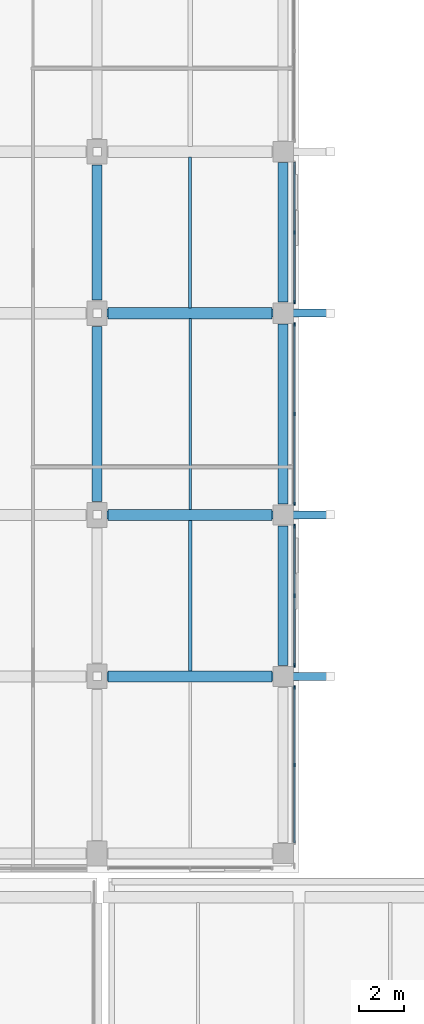
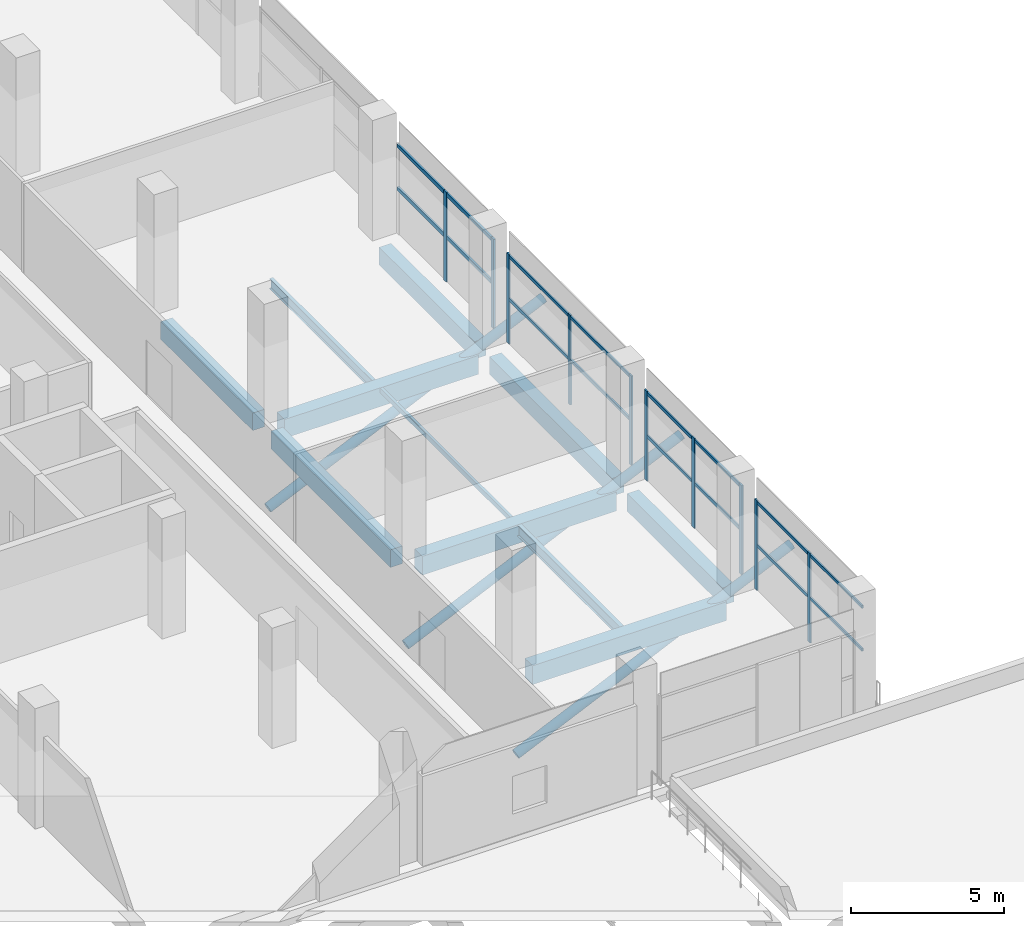
# One storey, part 11 of 82: 21 members, 11 beams, 4 elements without a shape of their own.
"""IFC4 building model written with IfcOpenShell, lengths in metres."""

from ifc_helpers import new_model, si_unit, direction, frame, origin, origin_2d, place, context, subcontext, project, spatial, rectangle, hollow_rectangle, hollow_circle, i_section, extrude, material, material_profile, profile_set, type_object, element, aggregate, save


model = new_model("IFC4")

# Units and contexts
model_context = context("Model", 3, precision=1e-05, world=origin(), true_north=direction((0.0, 1.0)))
body_context = subcontext(model_context, "Body", "Model", "MODEL_VIEW")
ifc_project = project(units=[si_unit("LENGTHUNIT", "METRE"), si_unit("AREAUNIT", "SQUARE_METRE"), si_unit("VOLUMEUNIT", "CUBIC_METRE"), si_unit("PLANEANGLEUNIT", "RADIAN"), si_unit("MASSUNIT", "GRAM", prefix="KILO"), si_unit("THERMODYNAMICTEMPERATUREUNIT", "KELVIN"), si_unit("POWERUNIT", "WATT")], contexts=[model_context])

# Site, building, storey
site_placement = place(None, origin())
site = spatial("IfcSite", under=ifc_project, at=site_placement, CompositionType="ELEMENT")
building_placement = place(site_placement, origin())
building = spatial("IfcBuilding", under=site, at=building_placement, Name="Sindhuravela Promenade Stadium", CompositionType="ELEMENT")
storey_placement = place(building_placement, frame((0.0, 0.0, 14.39990234375)))
storey = spatial("IfcBuildingStorey", under=building, at=storey_placement, Name="L03", CompositionType="ELEMENT", Elevation=14.39990234375)

# Curtain wall, members
ifc_material_1 = material(Name="Anodised architectural aluminium 6063-T6", Category="aluminium")
curtain_wall_type_1 = type_object("IfcCurtainWallType", Name="CW-MOD-3", PredefinedType="NOTDEFINED", material=ifc_material_1)
curtain_wall_1_placement = place(storey_placement, origin())
curtain_wall_1 = element("IfcCurtainWall", 1, at=curtain_wall_1_placement, inside=storey, type_object=curtain_wall_type_1, Name="Bronze curtain wall CW-WEST-L03-042", PredefinedType="NOTDEFINED")
ifc_material_profile_1 = material_profile(ifc_material_1, rectangle(XDim=0.074951171875, YDim=0.175048828125, at=origin_2d()), Name="ALU MULL 75x175")
ifc_profile_set_1 = profile_set([ifc_material_profile_1], Name="Anodised architectural aluminium 6063-T6")
member_type_1 = type_object("IfcMemberType", Name="CW-MUL-1", PredefinedType="MULLION", material=ifc_profile_set_1)
member_1_placement = place(storey_placement, frame((44.800048828125, 64.800048828125, 0.0), z_axis=(0.0, 0.0, 1.0), x_axis=(1.0, 0.0, 0.0)))
member_1 = element("IfcMember", 2, at=member_1_placement, type_object=member_type_1, Name="Curtain wall mullion CW-WEST-L03-042-M2", PredefinedType="MULLION", context=body_context, shape_type="SweptSolid", body=[
    extrude(rectangle(XDim=0.074951171875, YDim=0.175048828125, at=origin_2d()), origin(), (0.0, 0.0, 1.0), 3.580078125),
])
member_2_placement = place(storey_placement, frame((44.800048828125, 61.699951171875, 0.0), z_axis=(0.0, 0.0, 1.0), x_axis=(1.0, 0.0, 0.0)))
member_2 = element("IfcMember", 3, at=member_2_placement, type_object=member_type_1, Name="Curtain wall mullion CW-WEST-L03-042-M3", PredefinedType="MULLION", context=body_context, shape_type="SweptSolid", body=[
    extrude(rectangle(XDim=0.074951171875, YDim=0.175048828125, at=origin_2d()), origin(), (0.0, 0.0, 1.0), 3.580078125),
])

curtain_wall_type_2 = type_object("IfcCurtainWallType", Name="CW-MOD-4", PredefinedType="NOTDEFINED", material=ifc_material_1)
curtain_wall_2_placement = place(storey_placement, origin())
curtain_wall_2 = element("IfcCurtainWall", 4, at=curtain_wall_2_placement, inside=storey, type_object=curtain_wall_type_2, Name="Bronze curtain wall CW-WEST-L03-043", PredefinedType="NOTDEFINED")
ifc_material_profile_2 = material_profile(ifc_material_1, rectangle(XDim=0.06494140625, YDim=0.14990234375, at=origin_2d()), Name="ALU MULL 65x150")
ifc_profile_set_2 = profile_set([ifc_material_profile_2], Name="Anodised architectural aluminium 6063-T6")
member_type_2 = type_object("IfcMemberType", Name="CW-MUL-2", PredefinedType="MULLION", material=ifc_profile_set_2)
member_3_placement = place(storey_placement, frame((44.800048828125, 60.699951171875, 0.0), z_axis=(0.0, 0.0, 1.0), x_axis=(1.0, 0.0, 0.0)))
member_3 = element("IfcMember", 5, at=member_3_placement, type_object=member_type_2, Name="Curtain wall mullion CW-WEST-L03-043-M1", PredefinedType="MULLION", context=body_context, shape_type="SweptSolid", body=[
    extrude(rectangle(XDim=0.06494140625, YDim=0.14990234375, at=origin_2d()), origin(), (0.0, 0.0, 1.0), 3.580078125),
])
member_4_placement = place(storey_placement, frame((44.800048828125, 56.699951171875, 0.0), z_axis=(0.0, 0.0, 1.0), x_axis=(1.0, 0.0, 0.0)))
member_4 = element("IfcMember", 6, at=member_4_placement, type_object=member_type_2, Name="Curtain wall mullion CW-WEST-L03-043-M2", PredefinedType="MULLION", context=body_context, shape_type="SweptSolid", body=[
    extrude(rectangle(XDim=0.06494140625, YDim=0.14990234375, at=origin_2d()), origin(), (0.0, 0.0, 1.0), 3.580078125),
])
member_5_placement = place(storey_placement, frame((44.800048828125, 52.699951171875, 0.0), z_axis=(0.0, 0.0, 1.0), x_axis=(1.0, 0.0, 0.0)))
member_5 = element("IfcMember", 7, at=member_5_placement, type_object=member_type_2, Name="Curtain wall mullion CW-WEST-L03-043-M3", PredefinedType="MULLION", context=body_context, shape_type="SweptSolid", body=[
    extrude(rectangle(XDim=0.06494140625, YDim=0.14990234375, at=origin_2d()), origin(), (0.0, 0.0, 1.0), 3.580078125),
])

curtain_wall_type_3 = type_object("IfcCurtainWallType", Name="CW-MOD-5", PredefinedType="NOTDEFINED", material=ifc_material_1)
curtain_wall_3_placement = place(storey_placement, origin())
curtain_wall_3 = element("IfcCurtainWall", 8, at=curtain_wall_3_placement, inside=storey, type_object=curtain_wall_type_3, Name="Bronze curtain wall CW-WEST-L03-044", PredefinedType="NOTDEFINED")
ifc_material_profile_3 = material_profile(ifc_material_1, rectangle(XDim=0.06005859375, YDim=0.179931640625, at=origin_2d()), Name="ALU M60x180")
ifc_profile_set_3 = profile_set([ifc_material_profile_3], Name="Anodised architectural aluminium 6063-T6")
member_type_3 = type_object("IfcMemberType", Name="CW-MUL-3", PredefinedType="MULLION", material=ifc_profile_set_3)
member_6_placement = place(storey_placement, frame((44.800048828125, 51.699951171875, 0.0), z_axis=(0.0, 0.0, 1.0), x_axis=(1.0, 0.0, 0.0)))
member_6 = element("IfcMember", 9, at=member_6_placement, type_object=member_type_3, Name="Curtain wall mullion CW-WEST-L03-044-M1", PredefinedType="MULLION", context=body_context, shape_type="SweptSolid", body=[
    extrude(rectangle(XDim=0.06005859375, YDim=0.179931640625, at=origin_2d()), origin(), (0.0, 0.0, 1.0), 3.580078125),
])
member_7_placement = place(storey_placement, frame((44.800048828125, 48.60009765625, 0.0), z_axis=(0.0, 0.0, 1.0), x_axis=(1.0, 0.0, 0.0)))
member_7 = element("IfcMember", 10, at=member_7_placement, type_object=member_type_3, Name="Curtain wall mullion CW-WEST-L03-044-M2", PredefinedType="MULLION", context=body_context, shape_type="SweptSolid", body=[
    extrude(rectangle(XDim=0.06005859375, YDim=0.179931640625, at=origin_2d()), origin(), (0.0, 0.0, 1.0), 3.580078125),
])
member_8_placement = place(storey_placement, frame((44.800048828125, 45.5, 0.0), z_axis=(0.0, 0.0, 1.0), x_axis=(1.0, 0.0, 0.0)))
member_8 = element("IfcMember", 11, at=member_8_placement, type_object=member_type_3, Name="Curtain wall mullion CW-WEST-L03-044-M3", PredefinedType="MULLION", context=body_context, shape_type="SweptSolid", body=[
    extrude(rectangle(XDim=0.06005859375, YDim=0.179931640625, at=origin_2d()), origin(), (0.0, 0.0, 1.0), 3.580078125),
])

curtain_wall_type_4 = type_object("IfcCurtainWallType", Name="CW-MOD-6", PredefinedType="NOTDEFINED", material=ifc_material_1)
curtain_wall_4_placement = place(storey_placement, origin())
curtain_wall_4 = element("IfcCurtainWall", 12, at=curtain_wall_4_placement, inside=storey, type_object=curtain_wall_type_4, Name="Bronze curtain wall CW-WEST-L03-045", PredefinedType="NOTDEFINED")
ifc_material_profile_4 = material_profile(ifc_material_1, rectangle(XDim=0.06005859375, YDim=0.159912109375, at=origin_2d()), Name="ALU M60x160")
ifc_profile_set_4 = profile_set([ifc_material_profile_4], Name="Anodised architectural aluminium 6063-T6")
member_type_4 = type_object("IfcMemberType", Name="CW-MUL-4", PredefinedType="MULLION", material=ifc_profile_set_4)
member_9_placement = place(storey_placement, frame((44.800048828125, 44.5, 0.0), z_axis=(0.0, 0.0, 1.0), x_axis=(1.0, 0.0, 0.0)))
member_9 = element("IfcMember", 13, at=member_9_placement, type_object=member_type_4, Name="Curtain wall mullion CW-WEST-L03-045-M1", PredefinedType="MULLION", context=body_context, shape_type="SweptSolid", body=[
    extrude(rectangle(XDim=0.06005859375, YDim=0.159912109375, at=origin_2d()), origin(), (0.0, 0.0, 1.0), 3.580078125),
])
member_10_placement = place(storey_placement, frame((44.800048828125, 41.050048828125, 0.0), z_axis=(0.0, 0.0, 1.0), x_axis=(1.0, 0.0, 0.0)))
member_10 = element("IfcMember", 14, at=member_10_placement, type_object=member_type_4, Name="Curtain wall mullion CW-WEST-L03-045-M2", PredefinedType="MULLION", context=body_context, shape_type="SweptSolid", body=[
    extrude(rectangle(XDim=0.06005859375, YDim=0.159912109375, at=origin_2d()), origin(), (0.0, 0.0, 1.0), 3.580078125),
])

# Member
ifc_material_profile_5 = material_profile(ifc_material_1, rectangle(XDim=0.074951171875, YDim=0.14990234375, at=origin_2d()), Name="ALU TRAN 75x150")
ifc_profile_set_5 = profile_set([ifc_material_profile_5], Name="Anodised architectural aluminium 6063-T6")
member_type_5 = type_object("IfcMemberType", Name="CW-TRN-1", PredefinedType="USERDEFINED", material=ifc_profile_set_5)
member_11_placement = place(storey_placement, frame((44.800048828125, 67.925048828125, 1.7900390625), z_axis=(0.0, -1.0, 0.0), x_axis=(1.0, 0.0, 0.0)))
member_11 = element("IfcMember", 15, at=member_11_placement, type_object=member_type_5, Name="Curtain wall transom CW-WEST-L03-042-T1", ObjectType="TRANSOM", PredefinedType="USERDEFINED", context=body_context, shape_type="SweptSolid", body=[
    extrude(rectangle(XDim=0.074951171875, YDim=0.14990234375, at=origin_2d()), origin(), (0.0, 0.0, 1.0), 6.25),
])

member_12_placement = place(storey_placement, frame((44.800048828125, 67.925048828125, 3.5), z_axis=(0.0, -1.0, 0.0), x_axis=(1.0, 0.0, 0.0)))
member_12 = element("IfcMember", 16, at=member_12_placement, type_object=member_type_5, Name="Curtain wall transom CW-WEST-L03-042-T2", ObjectType="TRANSOM", PredefinedType="USERDEFINED", context=body_context, shape_type="SweptSolid", body=[
    extrude(rectangle(XDim=0.074951171875, YDim=0.14990234375, at=origin_2d()), origin(), (0.0, 0.0, 1.0), 6.25),
])

aggregate(curtain_wall_1, [member_1, member_2, member_11, member_12])

ifc_material_profile_6 = material_profile(ifc_material_1, rectangle(XDim=0.06494140625, YDim=0.125, at=origin_2d()), Name="ALU TRAN 65x125")
ifc_profile_set_6 = profile_set([ifc_material_profile_6], Name="Anodised architectural aluminium 6063-T6")
member_type_6 = type_object("IfcMemberType", Name="CW-TRN-2", PredefinedType="USERDEFINED", material=ifc_profile_set_6)
member_13_placement = place(storey_placement, frame((44.800048828125, 60.72509765625, 1.7900390625), z_axis=(0.0, -1.0, 0.0), x_axis=(1.0, 0.0, 0.0)))
member_13 = element("IfcMember", 17, at=member_13_placement, type_object=member_type_6, Name="Curtain wall transom CW-WEST-L03-043-T1", ObjectType="TRANSOM", PredefinedType="USERDEFINED", context=body_context, shape_type="SweptSolid", body=[
    extrude(rectangle(XDim=0.06494140625, YDim=0.125, at=origin_2d()), origin(), (0.0, 0.0, 1.0), 8.050048828125),
])

member_14_placement = place(storey_placement, frame((44.800048828125, 60.72509765625, 3.5), z_axis=(0.0, -1.0, 0.0), x_axis=(1.0, 0.0, 0.0)))
member_14 = element("IfcMember", 18, at=member_14_placement, type_object=member_type_6, Name="Curtain wall transom CW-WEST-L03-043-T2", ObjectType="TRANSOM", PredefinedType="USERDEFINED", context=body_context, shape_type="SweptSolid", body=[
    extrude(rectangle(XDim=0.06494140625, YDim=0.125, at=origin_2d()), origin(), (0.0, 0.0, 1.0), 8.050048828125),
])

aggregate(curtain_wall_2, [member_3, member_4, member_5, member_13, member_14])

ifc_material_profile_7 = material_profile(ifc_material_1, rectangle(XDim=0.06005859375, YDim=0.1298828125, at=origin_2d()), Name="ALU T60x130")
ifc_profile_set_7 = profile_set([ifc_material_profile_7], Name="Anodised architectural aluminium 6063-T6")
member_type_7 = type_object("IfcMemberType", Name="CW-TRN-3", PredefinedType="USERDEFINED", material=ifc_profile_set_7)
member_15_placement = place(storey_placement, frame((44.800048828125, 51.72509765625, 1.7900390625), z_axis=(0.0, -1.0, 0.0), x_axis=(1.0, 0.0, 0.0)))
member_15 = element("IfcMember", 19, at=member_15_placement, type_object=member_type_7, Name="Curtain wall transom CW-WEST-L03-044-T1", ObjectType="TRANSOM", PredefinedType="USERDEFINED", context=body_context, shape_type="SweptSolid", body=[
    extrude(rectangle(XDim=0.06005859375, YDim=0.1298828125, at=origin_2d()), origin(), (0.0, 0.0, 1.0), 6.25),
])

member_16_placement = place(storey_placement, frame((44.800048828125, 51.72509765625, 3.5), z_axis=(0.0, -1.0, 0.0), x_axis=(1.0, 0.0, 0.0)))
member_16 = element("IfcMember", 20, at=member_16_placement, type_object=member_type_7, Name="Curtain wall transom CW-WEST-L03-044-T2", ObjectType="TRANSOM", PredefinedType="USERDEFINED", context=body_context, shape_type="SweptSolid", body=[
    extrude(rectangle(XDim=0.06005859375, YDim=0.1298828125, at=origin_2d()), origin(), (0.0, 0.0, 1.0), 6.25),
])

aggregate(curtain_wall_3, [member_6, member_7, member_8, member_15, member_16])

ifc_material_profile_8 = material_profile(ifc_material_1, rectangle(XDim=0.06005859375, YDim=0.1201171875, at=origin_2d()), Name="ALU T60x120")
ifc_profile_set_8 = profile_set([ifc_material_profile_8], Name="Anodised architectural aluminium 6063-T6")
member_type_8 = type_object("IfcMemberType", Name="CW-TRN-4", PredefinedType="USERDEFINED", material=ifc_profile_set_8)
member_17_placement = place(storey_placement, frame((44.800048828125, 44.52490234375, 1.7900390625), z_axis=(0.0, -1.0, 0.0), x_axis=(1.0, 0.0, 0.0)))
member_17 = element("IfcMember", 21, at=member_17_placement, type_object=member_type_8, Name="Curtain wall transom CW-WEST-L03-045-T1", ObjectType="TRANSOM", PredefinedType="USERDEFINED", context=body_context, shape_type="SweptSolid", body=[
    extrude(rectangle(XDim=0.06005859375, YDim=0.1201171875, at=origin_2d()), origin(), (0.0, 0.0, 1.0), 6.949951171875),
])

member_18_placement = place(storey_placement, frame((44.800048828125, 44.52490234375, 3.5), z_axis=(0.0, -1.0, 0.0), x_axis=(1.0, 0.0, 0.0)))
member_18 = element("IfcMember", 22, at=member_18_placement, type_object=member_type_8, Name="Curtain wall transom CW-WEST-L03-045-T2", ObjectType="TRANSOM", PredefinedType="USERDEFINED", context=body_context, shape_type="SweptSolid", body=[
    extrude(rectangle(XDim=0.06005859375, YDim=0.1201171875, at=origin_2d()), origin(), (0.0, 0.0, 1.0), 6.949951171875),
])

aggregate(curtain_wall_4, [member_9, member_10, member_17, member_18])

# Beams
ifc_material_2 = material(Name="Concrete M40", Category="concrete")
ifc_material_profile_9 = material_profile(ifc_material_2, rectangle(XDim=0.449951171875, YDim=0.699951171875, at=origin_2d()), Name="RC 450x700")
ifc_profile_set_9 = profile_set([ifc_material_profile_9], Name="Concrete M40")
beam_type_1 = type_object("IfcBeamType", Name="RC-BM-450x700", PredefinedType="BEAM", material=ifc_profile_set_9)
beam_1_placement = place(storey_placement, frame((36.0, 52.7900390625, -0.64990234375), z_axis=(0.0, 1.0, 0.0), x_axis=(-1.0, 0.0, 0.0)))
element("IfcBeam", 23, at=beam_1_placement, inside=storey, type_object=beam_type_1, Name="Primary beam GB07 WEST L03", PredefinedType="BEAM", context=body_context, shape_type="SweptSolid", body=[
    extrude(rectangle(XDim=0.449951171875, YDim=0.699951171875, at=origin_2d()), origin(), (0.0, 0.0, 1.0), 7.820068359375),
])
beam_2_placement = place(storey_placement, frame((36.0, 61.7900390625, -0.64990234375), z_axis=(0.0, 1.0, 0.0), x_axis=(-1.0, 0.0, 0.0)))
element("IfcBeam", 24, at=beam_2_placement, inside=storey, type_object=beam_type_1, Name="Primary beam GB07 WEST L03", PredefinedType="BEAM", context=body_context, shape_type="SweptSolid", body=[
    extrude(rectangle(XDim=0.449951171875, YDim=0.699951171875, at=origin_2d()), origin(), (0.0, 0.0, 1.0), 6.02001953125),
])
beam_3_placement = place(storey_placement, frame((44.300048828125, 45.489990234375, -0.64990234375), z_axis=(0.0, 1.0, 0.0), x_axis=(-1.0, 0.0, 0.0)))
element("IfcBeam", 25, at=beam_3_placement, inside=storey, type_object=beam_type_1, Name="Primary beam GB07 WEST L03", PredefinedType="BEAM", context=body_context, shape_type="SweptSolid", body=[
    extrude(rectangle(XDim=0.449951171875, YDim=0.699951171875, at=origin_2d()), origin(), (0.0, 0.0, 1.0), 6.219970703125),
])
beam_4_placement = place(storey_placement, frame((44.300048828125, 52.68994140625, -0.64990234375), z_axis=(0.0, 1.0, 0.0), x_axis=(-1.0, 0.0, 0.0)))
element("IfcBeam", 26, at=beam_4_placement, inside=storey, type_object=beam_type_1, Name="Primary beam GB07 WEST L03", PredefinedType="BEAM", context=body_context, shape_type="SweptSolid", body=[
    extrude(rectangle(XDim=0.449951171875, YDim=0.699951171875, at=origin_2d()), origin(), (0.0, 0.0, 1.0), 8.02001953125),
])
beam_5_placement = place(storey_placement, frame((44.300048828125, 61.68994140625, -0.64990234375), z_axis=(0.0, 1.0, 0.0), x_axis=(-1.0, 0.0, 0.0)))
element("IfcBeam", 27, at=beam_5_placement, inside=storey, type_object=beam_type_1, Name="Primary beam GB07 WEST L03", PredefinedType="BEAM", context=body_context, shape_type="SweptSolid", body=[
    extrude(rectangle(XDim=0.449951171875, YDim=0.699951171875, at=origin_2d()), origin(), (0.0, 0.0, 1.0), 6.219970703125),
])
ifc_material_profile_10 = material_profile(ifc_material_2, rectangle(XDim=0.5, YDim=0.75, at=origin_2d()), Name="RC 500x750")
ifc_profile_set_10 = profile_set([ifc_material_profile_10], Name="Concrete M40")
beam_type_2 = type_object("IfcBeamType", Name="RC-BM-500x750", PredefinedType="BEAM", material=ifc_profile_set_10)
for number, where, z_axis, x_axis, name in (
    (28, (36.489990234375, 45.0, -0.6748046875), (1.0, 0.0, 0.0), (0.0, 1.0, 0.0), "Primary girder GB06 WEST L03"),
    (29, (36.489990234375, 52.199951171875, -0.6748046875), (1.0, 0.0, 0.0), (0.0, 1.0, 0.0), "Primary girder GB06 WEST L03"),
    (30, (36.489990234375, 61.199951171875, -0.6748046875), (1.0, 0.0, 0.0), (0.0, 1.0, 0.0), "Primary girder GB06 WEST L03"),
):
    element("IfcBeam", number, at=place(storey_placement, frame(where, z_axis=z_axis, x_axis=x_axis)), inside=storey, type_object=beam_type_2, Name=name, PredefinedType="BEAM", context=body_context, shape_type="SweptSolid", body=[
        extrude(rectangle(XDim=0.5, YDim=0.75, at=origin_2d()), origin(), (0.0, 0.0, 1.0), 7.320068359375),
    ])
ifc_material_3 = material(Name="Steel E350 (IS 2062 E350BR)", Category="steel")
ifc_material_profile_11 = material_profile(ifc_material_3, hollow_rectangle(XDim=0.10009765625, YDim=0.199951171875, WallThickness=0.008056640625, at=origin_2d()), Name="RHS 200x100x8")
ifc_profile_set_11 = profile_set([ifc_material_profile_11], Name="Steel E350 (IS 2062 E350BR)")
beam_type_3 = type_object("IfcBeamType", Name="ST-BM-LNT200", PredefinedType="LINTEL", material=ifc_profile_set_11)
beam_6_placement = place(storey_placement, frame((40.14990234375, 52.43994140625, -0.39990234375), z_axis=(0.0, 1.0, 0.0), x_axis=(-1.0, 0.0, 0.0)))
element("IfcBeam", 31, at=beam_6_placement, inside=storey, type_object=beam_type_3, Name="Secondary floor joist LN01 WEST L03", PredefinedType="LINTEL", context=body_context, shape_type="SweptSolid", body=[
    extrude(hollow_rectangle(XDim=0.10009765625, YDim=0.199951171875, WallThickness=0.008056640625, at=origin_2d()), origin(), (0.0, 0.0, 1.0), 8.52001953125),
])
ifc_material_profile_12 = material_profile(ifc_material_3, i_section(OverallWidth=0.139892578125, OverallDepth=0.39990234375, WebThickness=0.0087890625, FlangeThickness=0.01611328125, FilletRadius=0.013916015625, at=origin_2d()), Name="ISMB 400")
ifc_profile_set_12 = profile_set([ifc_material_profile_12], Name="Steel E350 (IS 2062 E350BR)")
beam_type_4 = type_object("IfcBeamType", Name="ST-BM-MB400", PredefinedType="BEAM", material=ifc_profile_set_12)
beam_7_placement = place(storey_placement, frame((40.14990234375, 61.43994140625, -0.5), z_axis=(0.0, 1.0, 0.0), x_axis=(-1.0, 0.0, 0.0)))
element("IfcBeam", 32, at=beam_7_placement, inside=storey, type_object=beam_type_4, Name="Secondary floor joist SB05 WEST L03", PredefinedType="BEAM", context=body_context, shape_type="SweptSolid", body=[
    extrude(i_section(OverallWidth=0.139892578125, OverallDepth=0.39990234375, WebThickness=0.0087890625, FlangeThickness=0.01611328125, FilletRadius=0.013916015625, at=origin_2d()), origin(), (0.0, 0.0, 1.0), 6.719970703125),
])
ifc_material_profile_13 = material_profile(ifc_material_3, i_section(OverallWidth=0.14990234375, OverallDepth=0.449951171875, WebThickness=0.009521484375, FlangeThickness=0.017333984375, FilletRadius=0.014892578125, at=origin_2d()), Name="ISMB 450")
ifc_profile_set_13 = profile_set([ifc_material_profile_13], Name="Steel E350 (IS 2062 E350BR)")
beam_type_5 = type_object("IfcBeamType", Name="ST-BM-MB450", PredefinedType="BEAM", material=ifc_profile_set_13)
beam_8_placement = place(storey_placement, frame((40.14990234375, 45.239990234375, -0.52490234375), z_axis=(0.0, 1.0, 0.0), x_axis=(-1.0, 0.0, 0.0)))
element("IfcBeam", 33, at=beam_8_placement, inside=storey, type_object=beam_type_5, Name="Secondary floor joist SB06 WEST L03", PredefinedType="BEAM", context=body_context, shape_type="SweptSolid", body=[
    extrude(i_section(OverallWidth=0.14990234375, OverallDepth=0.449951171875, WebThickness=0.009521484375, FlangeThickness=0.017333984375, FilletRadius=0.014892578125, at=origin_2d()), origin(), (0.0, 0.0, 1.0), 6.719970703125),
])

# Members
ifc_material_profile_14 = material_profile(ifc_material_3, hollow_circle(Radius=0.177734375, WallThickness=0.011962890625, at=origin_2d()), Name="CHS 355.6x12")
ifc_profile_set_14 = profile_set([ifc_material_profile_14], Name="Steel E350 (IS 2062 E350BR)")
member_type_9 = type_object("IfcMemberType", Name="ST-MB-CHS356", PredefinedType="STRUT", material=ifc_profile_set_14)
for number, where, z_axis, x_axis, name in (
    (34, (36.0, 45.0, -3.7998046875), (0.9096146847750655, 0.0, 0.41545291579378546), (0.0, 1.0, 0.0), "Upper raker prop strut MS02 STRUT-T2-W-051"),
    (35, (36.0, 52.199951171875, -3.7998046875), (0.9096146847750655, 0.0, 0.41545291579378546), (0.0, 1.0, 0.0), "Upper raker prop strut MS02 STRUT-T2-W-053"),
    (36, (36.0, 61.199951171875, -3.7998046875), (0.9096146847750655, 0.0, 0.41545291579378546), (0.0, 1.0, 0.0), "Upper raker prop strut MS02 STRUT-T2-W-055"),
):
    element("IfcMember", number, at=place(storey_placement, frame(where, z_axis=z_axis, x_axis=x_axis)), inside=storey, type_object=member_type_9, Name=name, PredefinedType="STRUT", context=body_context, shape_type="SweptSolid", body=[
        extrude(hollow_circle(Radius=0.177734375, WallThickness=0.011962890625, at=origin_2d()), origin(), (0.0, 0.0, 1.0), 11.433349609375),
    ])

save(model, "model.ifc")
